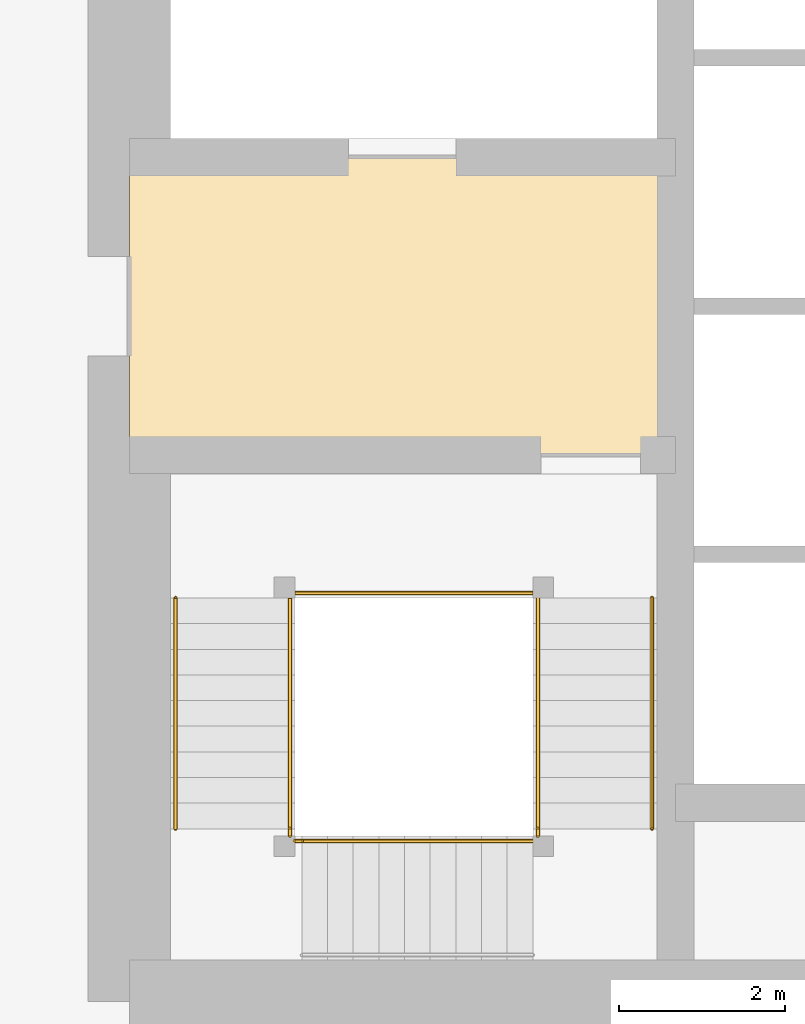
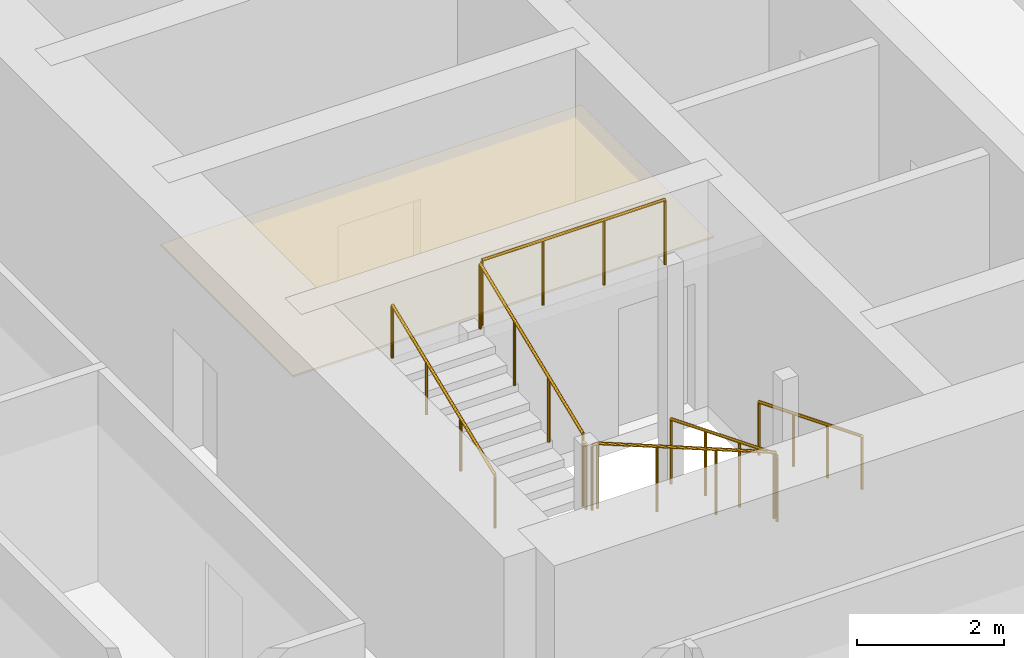
# One storey, part 32 of 40: 9 railings, 1 covering.
"""IFC4 building model written with IfcOpenShell, lengths in metres."""

from ifc_helpers import new_model, si_unit, direction, frame, origin, origin_2d, place, context, subcontext, project, spatial, polyline, circle, outline, extrude, material, layer, layer_set, type_object, element, save


model = new_model("IFC4")

# Units and contexts
model_context = context("Model", 3, precision=1e-05, world=origin(), true_north=direction((0.0, 1.0)))
body_context = subcontext(model_context, "Body", "Model", "MODEL_VIEW")
ifc_project = project(units=[si_unit("LENGTHUNIT", "METRE"), si_unit("AREAUNIT", "SQUARE_METRE"), si_unit("VOLUMEUNIT", "CUBIC_METRE"), si_unit("PLANEANGLEUNIT", "RADIAN"), si_unit("MASSUNIT", "GRAM", prefix="KILO")], contexts=[model_context])

# Site, building, storey
site_placement = place(None, origin())
site = spatial("IfcSite", under=ifc_project, at=site_placement, CompositionType="ELEMENT")
building_placement = place(site_placement, origin())
building = spatial("IfcBuilding", under=site, at=building_placement, Name="Rekha Terrace Tower", CompositionType="ELEMENT")
storey_placement = place(building_placement, frame((0.0, 0.0, 213.949951171875)))
storey = spatial("IfcBuildingStorey", under=building, at=storey_placement, Name="L54", CompositionType="ELEMENT", Elevation=213.949951171875)

# Covering
ifc_material_1 = material(Name="Powder-coated aluminium pan", Category="aluminium")
ifc_layer = layer(ifc_material_1, 0.030029296875)
ifc_layer_set = layer_set([ifc_layer], Name="Powder-coated aluminium pan")
covering_type = type_object("IfcCoveringType", Name="CL3 300x1200 metal pan ceiling", PredefinedType="CEILING", material=ifc_layer_set)
covering_placement = place(storey_placement, frame((0.0, 0.0, 2.570068359375)))
element("IfcCovering", 1, at=covering_placement, inside=storey, type_object=covering_type, Name="Ceiling L54-FLB1", PredefinedType="CEILING", context=body_context, shape_type="SweptSolid", body=[
    extrude(outline(polyline([(31.800048828125, 31.199951171875), (25.199951171875, 31.199951171875), (25.199951171875, 27.60009765625), (31.800048828125, 27.60009765625), (31.800048828125, 31.199951171875)])), origin(), (0.0, 0.0, 1.0), 0.030029296875),
])

# Railings
ifc_material_2 = material(Name="Stainless steel balustrade", Category="steel")
railing_type_1 = type_object("IfcRailingType", Name="GR1 1100 stair guard", PredefinedType="GUARDRAIL", material=ifc_material_2)
railing_1_placement = place(storey_placement, frame((30.135009765625, 25.875, 0.125)))
element("IfcRailing", 2, at=railing_1_placement, inside=storey, type_object=railing_type_1, Name="Guard ST1 L54 flight 1", PredefinedType="GUARDRAIL", context=body_context, shape_type="SweptSolid", body=[
    extrude(circle(Radius=0.02392578125, at=origin_2d()), frame((0.0, 0.0, 1.076171875), z_axis=(0.0, -0.927443287984, 0.373963831907), x_axis=(1.0, 0.0, 0.0)), (0.0, 0.0, 1.0), 3.00830078125),
    extrude(circle(Radius=0.02099609375, at=origin_2d()), origin(), (0.0, 0.0, 1.0), 1.052001953125),
    extrude(circle(Radius=0.02099609375, at=origin_2d()), frame((0.0, -0.929931640625, 0.375)), (0.0, 0.0, 1.0), 1.052001953125),
    extrude(circle(Radius=0.02099609375, at=origin_2d()), frame((0.0, -1.860107421875, 0.75)), (0.0, 0.0, 1.0), 1.052001953125),
    extrude(circle(Radius=0.02099609375, at=origin_2d()), frame((0.0, -2.7900390625, 1.125)), (0.0, 0.0, 1.0), 1.052001953125),
])
railing_2_placement = place(storey_placement, frame((30.074951171875, 22.93994140625, 1.375)))
element("IfcRailing", 3, at=railing_2_placement, inside=storey, type_object=railing_type_1, Name="Guard ST1 L54 flight 2", PredefinedType="GUARDRAIL", context=body_context, shape_type="SweptSolid", body=[
    extrude(circle(Radius=0.02392578125, at=origin_2d()), frame((0.0, 0.0, 1.076171875), z_axis=(-0.927443287984, 0.0, 0.373963831907), x_axis=(0.0, -1.0, 0.0)), (0.0, 0.0, 1.0), 3.00830078125),
    extrude(circle(Radius=0.02099609375, at=origin_2d()), origin(), (0.0, 0.0, 1.0), 1.052001953125),
    extrude(circle(Radius=0.02099609375, at=origin_2d()), frame((-0.929931640625, 0.0, 0.375)), (0.0, 0.0, 1.0), 1.052001953125),
    extrude(circle(Radius=0.02099609375, at=origin_2d()), frame((-1.860107421875, 0.0, 0.75)), (0.0, 0.0, 1.0), 1.052001953125),
    extrude(circle(Radius=0.02099609375, at=origin_2d()), frame((-2.7900390625, 0.0, 1.125)), (0.0, 0.0, 1.0), 1.052001953125),
])
railing_3_placement = place(storey_placement, frame((27.139892578125, 23.0849609375, 2.625)))
element("IfcRailing", 4, at=railing_3_placement, inside=storey, type_object=railing_type_1, Name="Guard ST1 L54 flight 3", PredefinedType="GUARDRAIL", context=body_context, shape_type="SweptSolid", body=[
    extrude(circle(Radius=0.02392578125, at=origin_2d()), frame((0.0, 0.0, 1.076171875), z_axis=(0.0, 0.927443287984, 0.373963831907), x_axis=(-1.0, 0.0, 0.0)), (0.0, 0.0, 1.0), 3.00830078125),
    extrude(circle(Radius=0.02099609375, at=origin_2d()), origin(), (0.0, 0.0, 1.0), 1.052001953125),
    extrude(circle(Radius=0.02099609375, at=origin_2d()), frame((0.0, 0.929931640625, 0.375)), (0.0, 0.0, 1.0), 1.052001953125),
    extrude(circle(Radius=0.02099609375, at=origin_2d()), frame((0.0, 1.860107421875, 0.75)), (0.0, 0.0, 1.0), 1.052001953125),
    extrude(circle(Radius=0.02099609375, at=origin_2d()), frame((0.0, 2.7900390625, 1.125)), (0.0, 0.0, 1.0), 1.052001953125),
])
railing_4_placement = place(storey_placement, frame((30.135009765625, 23.0849609375, 1.25)))
element("IfcRailing", 5, at=railing_4_placement, inside=storey, type_object=railing_type_1, Name="Guard ST1 L54 landing 1", PredefinedType="GUARDRAIL", context=body_context, shape_type="SweptSolid", body=[
    extrude(circle(Radius=0.02392578125, at=origin_2d()), frame((0.0, 0.0, 1.076171875), z_axis=(0.0, -1.0, 0.0), x_axis=(1.0, 0.0, 0.0)), (0.0, 0.0, 1.0), 0.0849609375),
    extrude(circle(Radius=0.02099609375, at=origin_2d()), origin(), (0.0, 0.0, 1.0), 1.052001953125),
    extrude(circle(Radius=0.02099609375, at=origin_2d()), frame((0.0, -0.0849609375, 0.0)), (0.0, 0.0, 1.0), 1.052001953125),
])
railing_5_placement = place(storey_placement, frame((27.284912109375, 22.93994140625, 2.5)))
element("IfcRailing", 6, at=railing_5_placement, inside=storey, type_object=railing_type_1, Name="Guard ST1 L54 landing 2", PredefinedType="GUARDRAIL", context=body_context, shape_type="SweptSolid", body=[
    extrude(circle(Radius=0.02392578125, at=origin_2d()), frame((0.0, 0.0, 1.076171875), z_axis=(-1.0, 0.0, 0.0), x_axis=(0.0, -1.0, 0.0)), (0.0, 0.0, 1.0), 0.0849609375),
    extrude(circle(Radius=0.02099609375, at=origin_2d()), origin(), (0.0, 0.0, 1.0), 1.052001953125),
    extrude(circle(Radius=0.02099609375, at=origin_2d()), frame((-0.0849609375, 0.0, 0.0)), (0.0, 0.0, 1.0), 1.052001953125),
])
railing_6_placement = place(storey_placement, frame((27.139892578125, 23.0849609375, 2.5)))
element("IfcRailing", 7, at=railing_6_placement, inside=storey, type_object=railing_type_1, Name="Guard ST1 L54 landing 3", PredefinedType="GUARDRAIL", context=body_context, shape_type="SweptSolid", body=[
    extrude(circle(Radius=0.02392578125, at=origin_2d()), frame((0.0, 0.0, 1.076171875), z_axis=(0.0, -1.0, 0.0), x_axis=(1.0, 0.0, 0.0)), (0.0, 0.0, 1.0), 0.0849609375),
    extrude(circle(Radius=0.02099609375, at=origin_2d()), origin(), (0.0, 0.0, 1.0), 1.052001953125),
    extrude(circle(Radius=0.02099609375, at=origin_2d()), frame((0.0, -0.0849609375, 0.0)), (0.0, 0.0, 1.0), 1.052001953125),
])
railing_7_placement = place(storey_placement, frame((30.074951171875, 25.93505859375, 3.75)))
element("IfcRailing", 8, at=railing_7_placement, inside=storey, type_object=railing_type_1, Name="Guard ST1 L54 landing 4", PredefinedType="GUARDRAIL", context=body_context, shape_type="SweptSolid", body=[
    extrude(circle(Radius=0.02392578125, at=origin_2d()), frame((0.0, 0.0, 1.076171875), z_axis=(-1.0, 0.0, 0.0), x_axis=(0.0, -1.0, 0.0)), (0.0, 0.0, 1.0), 2.875),
    extrude(circle(Radius=0.02099609375, at=origin_2d()), origin(), (0.0, 0.0, 1.0), 1.052001953125),
    extrude(circle(Radius=0.02099609375, at=origin_2d()), frame((-0.958251953125, 0.0, 0.0)), (0.0, 0.0, 1.0), 1.052001953125),
    extrude(circle(Radius=0.02099609375, at=origin_2d()), frame((-1.916748046875, 0.0, 0.0)), (0.0, 0.0, 1.0), 1.052001953125),
    extrude(circle(Radius=0.02099609375, at=origin_2d()), frame((-2.875, 0.0, 0.0)), (0.0, 0.0, 1.0), 1.052001953125),
])
ifc_material_3 = material(Name="Stainless steel tube", Category="steel")
railing_type_2 = type_object("IfcRailingType", Name="HR1 900 stair handrail", PredefinedType="HANDRAIL", material=ifc_material_3)
railing_8_placement = place(storey_placement, frame((31.514892578125, 25.875, 0.125)))
element("IfcRailing", 9, at=railing_8_placement, inside=storey, type_object=railing_type_2, Name="Handrail ST1 L54 flight 1", PredefinedType="HANDRAIL", context=body_context, shape_type="SweptSolid", body=[
    extrude(circle(Radius=0.02392578125, at=origin_2d()), frame((0.0, 0.0, 0.8759765625), z_axis=(0.0, -0.927443287984, 0.373963831907), x_axis=(1.0, 0.0, 0.0)), (0.0, 0.0, 1.0), 3.00830078125),
    extrude(circle(Radius=0.02099609375, at=origin_2d()), origin(), (0.0, 0.0, 1.0), 0.851806640625),
    extrude(circle(Radius=0.02099609375, at=origin_2d()), frame((0.0, -0.929931640625, 0.375)), (0.0, 0.0, 1.0), 0.851806640625),
    extrude(circle(Radius=0.02099609375, at=origin_2d()), frame((0.0, -1.860107421875, 0.75)), (0.0, 0.0, 1.0), 0.851806640625),
    extrude(circle(Radius=0.02099609375, at=origin_2d()), frame((0.0, -2.7900390625, 1.125)), (0.0, 0.0, 1.0), 0.851806640625),
])
railing_9_placement = place(storey_placement, frame((25.760009765625, 23.0849609375, 2.625)))
element("IfcRailing", 10, at=railing_9_placement, inside=storey, type_object=railing_type_2, Name="Handrail ST1 L54 flight 3", PredefinedType="HANDRAIL", context=body_context, shape_type="SweptSolid", body=[
    extrude(circle(Radius=0.02392578125, at=origin_2d()), frame((0.0, 0.0, 0.8759765625), z_axis=(0.0, 0.927443287984, 0.373963831907), x_axis=(-1.0, 0.0, 0.0)), (0.0, 0.0, 1.0), 3.00830078125),
    extrude(circle(Radius=0.02099609375, at=origin_2d()), origin(), (0.0, 0.0, 1.0), 0.851806640625),
    extrude(circle(Radius=0.02099609375, at=origin_2d()), frame((0.0, 0.929931640625, 0.375)), (0.0, 0.0, 1.0), 0.851806640625),
    extrude(circle(Radius=0.02099609375, at=origin_2d()), frame((0.0, 1.860107421875, 0.75)), (0.0, 0.0, 1.0), 0.851806640625),
    extrude(circle(Radius=0.02099609375, at=origin_2d()), frame((0.0, 2.7900390625, 1.125)), (0.0, 0.0, 1.0), 0.851806640625),
])

save(model, "model.ifc")
